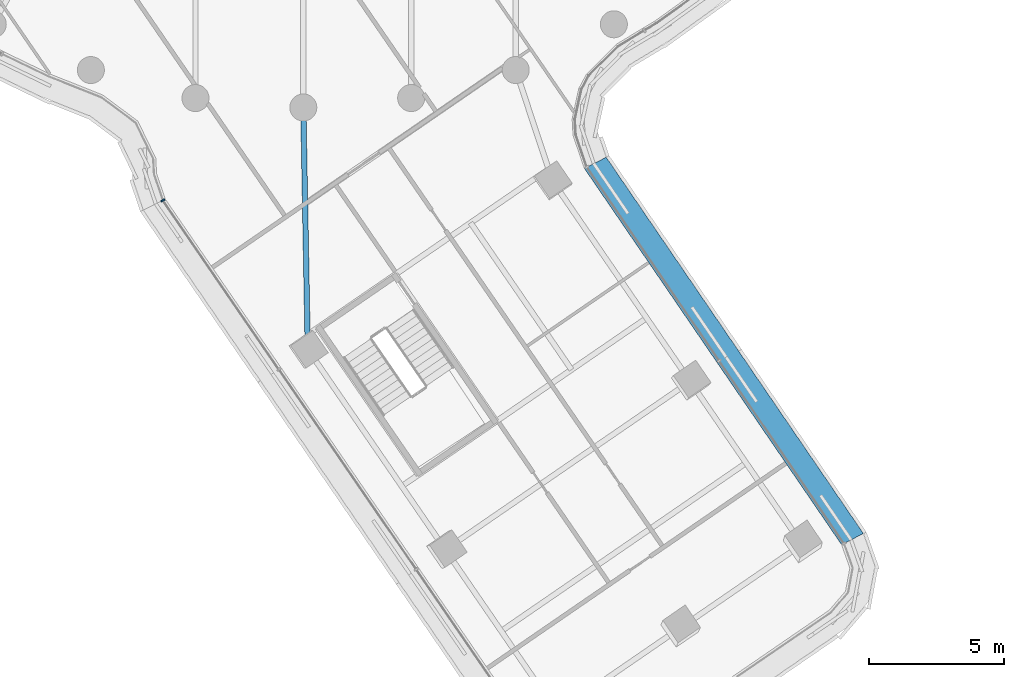
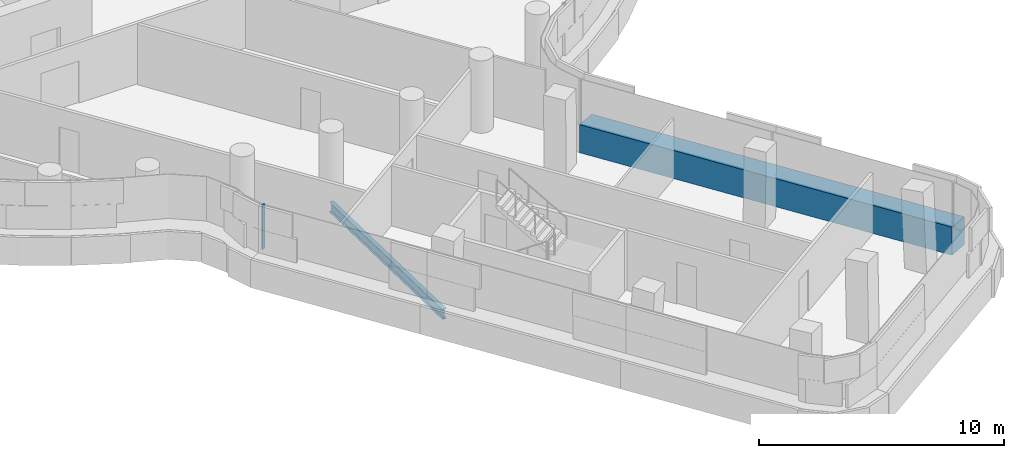
# One storey, part 5 of 33: 2 members, 1 beam, 2 elements without a shape of their own.
"""IFC4 building model written with IfcOpenShell, lengths in metres."""

from ifc_helpers import new_model, si_unit, direction, frame, origin, origin_2d, place, context, subcontext, project, spatial, polyline, rectangle, i_section, outline, extrude, material, layer, layer_set, material_profile, profile_set, type_object, element, aggregate, save


model = new_model("IFC4")

# Units and contexts
model_context = context("Model", 3, precision=1e-05, world=origin(), true_north=direction((0.0, 1.0)))
body_context = subcontext(model_context, "Body", "Model", "MODEL_VIEW")
ifc_project = project(units=[si_unit("LENGTHUNIT", "METRE"), si_unit("AREAUNIT", "SQUARE_METRE"), si_unit("VOLUMEUNIT", "CUBIC_METRE"), si_unit("PLANEANGLEUNIT", "RADIAN"), si_unit("MASSUNIT", "GRAM", prefix="KILO")], contexts=[model_context])

# Site, building, storey
site_placement = place(None, origin())
site = spatial("IfcSite", under=ifc_project, at=site_placement, CompositionType="ELEMENT")
building_placement = place(site_placement, origin())
building = spatial("IfcBuilding", under=site, at=building_placement, Name="Tamarind Cross Interchange Tower", CompositionType="ELEMENT")
storey_placement = place(building_placement, frame((0.0, 0.0, 159.25)))
storey = spatial("IfcBuildingStorey", under=building, at=storey_placement, Name="L39", CompositionType="ELEMENT", Elevation=159.25)

# Beam
ifc_material_1 = material(Name="Steel Q355B", Category="steel")
ifc_material_profile_1 = material_profile(ifc_material_1, i_section(OverallWidth=0.198974609375, OverallDepth=0.49609375, WebThickness=0.009033203125, FlangeThickness=0.013916015625, FilletRadius=0.012939453125, at=origin_2d()), Name="HN 496x199x9x14")
ifc_profile_set_1 = profile_set([ifc_material_profile_1], Name="Steel Q355B")
beam_type = type_object("IfcBeamType", Name="Composite beam HN 496x199x9x14 Q355B", PredefinedType="BEAM", material=ifc_profile_set_1)
beam_placement = place(storey_placement, frame((0.164794921875, -31.95556640625, -0.387939453125), z_axis=(-0.01839828111, 0.999830737301, 0.0), x_axis=(-0.999830737301, -0.01839828111, 0.0)))
element("IfcBeam", 1, at=beam_placement, inside=storey, type_object=beam_type, Name="Beam S-linkem", PredefinedType="BEAM", context=body_context, shape_type="SweptSolid", body=[
    extrude(i_section(OverallWidth=0.198974609375, OverallDepth=0.49609375, WebThickness=0.009033203125, FlangeThickness=0.013916015625, FilletRadius=0.012939453125, at=origin_2d()), origin(), (0.0, 0.0, 1.0), 8.95703125),
])

# Curtain wall, member
ifc_material_2 = material(Name="Aluminium 6063-T6", Category="aluminium")
ifc_layer = layer(ifc_material_2, 0.159912109375)
ifc_layer_set = layer_set([ifc_layer], Name="Aluminium 6063-T6")
curtain_wall_type = type_object("IfcCurtainWallType", Name="Office curtain wall, 9.0 m bays", PredefinedType="NOTDEFINED", material=ifc_layer_set)
curtain_wall_1_placement = place(storey_placement, origin())
curtain_wall_1 = element("IfcCurtainWall", 2, at=curtain_wall_1_placement, inside=storey, type_object=curtain_wall_type, Name="CWS-L39-05", PredefinedType="NOTDEFINED")
ifc_material_3 = material(Name="Aluminium and insulated spandrel panel", Category="aluminium")
member_type_1 = type_object("IfcMemberType", Name="Floor-edge blade transom", PredefinedType="USERDEFINED", material=ifc_material_3)
member_1_placement = place(storey_placement, origin())
member_1 = element("IfcMember", 3, at=member_1_placement, type_object=member_type_1, Name="CWT-L39-05", ObjectType="TRANSOM", PredefinedType="USERDEFINED", context=body_context, shape_type="SweptSolid", body=[
    extrude(outline(polyline([(19.9326171875, -39.18994140625), (10.404296875, -25.25), (11.21630859375, -24.84326171875), (20.741943359375, -38.779052734375), (19.9326171875, -39.18994140625)])), origin(), (0.0, 0.0, 1.0), 1.39990234375),
])
aggregate(curtain_wall_1, [member_1])

curtain_wall_2_placement = place(storey_placement, origin())
curtain_wall_2 = element("IfcCurtainWall", 4, at=curtain_wall_2_placement, inside=storey, type_object=curtain_wall_type, Name="CWS-L39-03", PredefinedType="NOTDEFINED")
ifc_material_profile_2 = material_profile(ifc_material_2, rectangle(XDim=0.06005859375, YDim=0.159912109375, at=origin_2d()), Name="Mullion CW1")
ifc_profile_set_2 = profile_set([ifc_material_profile_2], Name="Aluminium 6063-T6")
member_type_2 = type_object("IfcMemberType", Name="Mullion CW1", PredefinedType="MULLION", material=ifc_profile_set_2)
member_2_placement = place(storey_placement, frame((-5.20068359375, -26.43896484375, 1.39990234375), z_axis=(0.0, 0.0, 1.0), x_axis=(0.448204316564, -0.893931144224, 0.0)))
member_2 = element("IfcMember", 5, at=member_2_placement, type_object=member_type_2, Name="CWM-L39-03-00", PredefinedType="MULLION", context=body_context, shape_type="SweptSolid", body=[
    extrude(rectangle(XDim=0.06005859375, YDim=0.159912109375, at=origin_2d()), origin(), (0.0, 0.0, 1.0), 2.210205078125),
])
aggregate(curtain_wall_2, [member_2])

save(model, "model.ifc")
